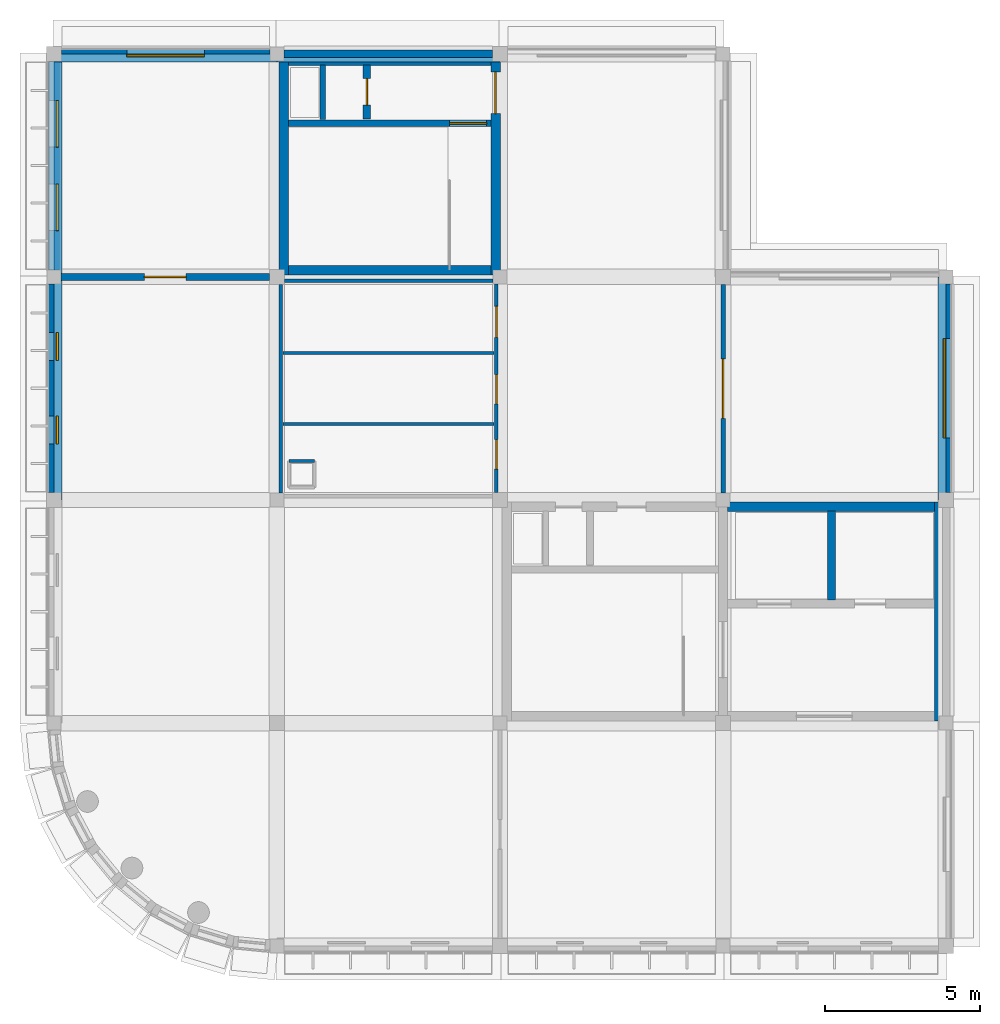
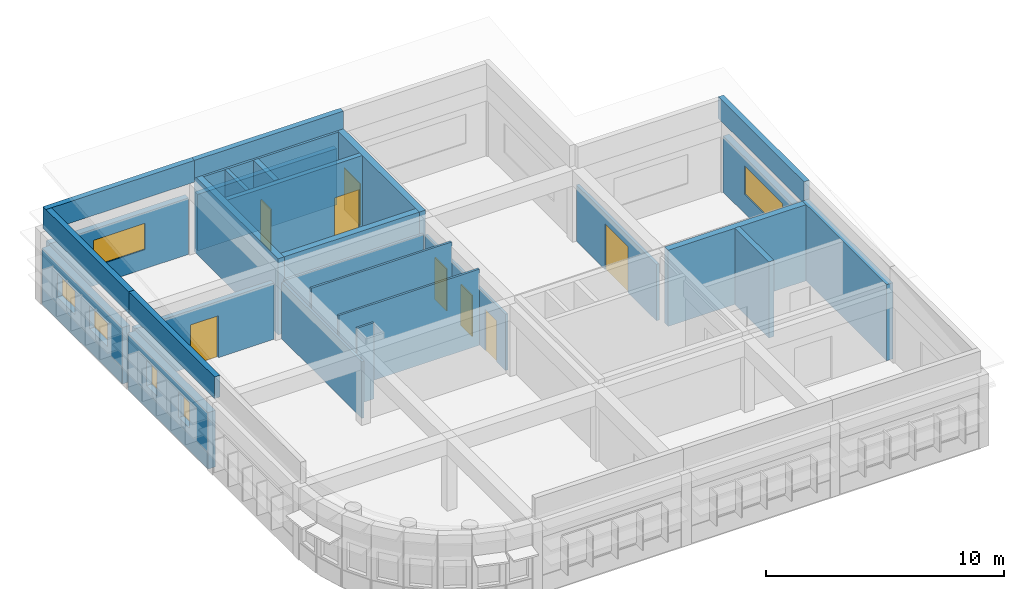
# One storey, part 4 of 6: 28 walls, 8 doors, 6 windows, 14 openings.
"""IFC4 building model written with IfcOpenShell, lengths in metres."""

from ifc_helpers import new_model, si_unit, direction, frame, frame_2d, origin, place, context, subcontext, project, spatial, rectangle, extrude, material, layer, layer_set, type_object, element, fill, save


model = new_model("IFC4")

# Units and contexts
model_context = context("Model", 3, precision=1e-05, world=origin(), true_north=direction((0.0, 1.0)))
body_context = subcontext(model_context, "Body", "Model", "MODEL_VIEW")
ifc_project = project(units=[si_unit("LENGTHUNIT", "METRE"), si_unit("AREAUNIT", "SQUARE_METRE"), si_unit("VOLUMEUNIT", "CUBIC_METRE"), si_unit("PLANEANGLEUNIT", "RADIAN"), si_unit("MASSUNIT", "GRAM", prefix="KILO")], contexts=[model_context])

# Site, building, storey
site_placement = place(None, origin())
site = spatial("IfcSite", under=ifc_project, at=site_placement, CompositionType="ELEMENT")
building_placement = place(site_placement, origin())
building = spatial("IfcBuilding", under=site, at=building_placement, Name="Thalmaran Polytechnic", CompositionType="ELEMENT")
storey_placement = place(building_placement, frame((0.0, 0.0, 34.5)))
storey = spatial("IfcBuildingStorey", under=building, at=storey_placement, Name="L08", CompositionType="ELEMENT", Elevation=34.5)

# Wall, openings, windows
ifc_material_1 = material(Name="Precast concrete C40/50", Category="concrete")
ifc_layer_1 = layer(ifc_material_1, 0.360107421875, Name="Precast concrete C40/50")
ifc_layer_set_1 = layer_set([ifc_layer_1], Name="Precast concrete C40/50")
wall_type_1 = type_object("IfcWallType", Name="WL-EW01", PredefinedType="STANDARD", material=ifc_layer_set_1)
wall_1_placement = place(storey_placement, frame((0.0, 14.639892578125, 0.0), z_axis=(0.0, 0.0, 1.0), x_axis=(0.0, 1.0, 0.0)))
wall_1 = element("IfcWall", 1, at=wall_1_placement, inside=storey, type_object=wall_type_1, Name="Exterior Precast Facade Wall L08-007", PredefinedType="STANDARD", context=body_context, shape_type="SweptSolid", body=[
    extrude(rectangle(XDim=6.735107421875, YDim=0.360107421875, at=frame_2d((3.36767578125, 0.0))), origin(), (0.0, 0.0, 1.0), 2.889892578125),
])
opening_1_placement = place(wall_1_placement, frame((1.570556640625, 0.0, 1.14990234375)))
opening_1 = element("IfcOpeningElement", 2, at=opening_1_placement, cuts=wall_1, Name="Opening PW13", PredefinedType="OPENING", context=body_context, shape_type="SweptSolid", body=[
    extrude(rectangle(XDim=0.89990234375, YDim=1.300048828125, at=frame_2d((0.449951171875, 0.64990234375))), frame((0.0, 0.18994140625, 0.0), z_axis=(0.0, -1.0, 0.0), x_axis=(1.0, 0.0, 0.0)), (0.0, 0.0, 1.0), 0.380126953125),
])
opening_2_placement = place(wall_1_placement, frame((4.264404296875, 0.0, 1.14990234375)))
opening_2 = element("IfcOpeningElement", 3, at=opening_2_placement, cuts=wall_1, Name="Opening PW13", PredefinedType="OPENING", context=body_context, shape_type="SweptSolid", body=[
    extrude(rectangle(XDim=0.89990234375, YDim=1.300048828125, at=frame_2d((0.449951171875, 0.64990234375))), frame((0.0, 0.18994140625, 0.0), z_axis=(0.0, -1.0, 0.0), x_axis=(1.0, 0.0, 0.0)), (0.0, 0.0, 1.0), 0.380126953125),
])
ifc_material_2 = material(Name="Thermally broken aluminium and double low-E glass", Category="aluminium")
window_type_1 = type_object("IfcWindowType", Name="WN-PW03", PartitioningType="SINGLE_PANEL", PredefinedType="WINDOW", material=ifc_material_2)
window_1_placement = place(opening_1_placement, origin())
window_1 = element("IfcWindow", 4, at=window_1_placement, inside=storey, type_object=window_type_1, Name="Deep-Set Solar-Screened Window W-0793", OverallHeight=1.300048828125, OverallWidth=0.89990234375, PartitioningType="SINGLE_PANEL", PredefinedType="WINDOW", context=body_context, shape_type="SweptSolid", body=[
    extrude(rectangle(XDim=0.89990234375, YDim=1.300048828125, at=frame_2d((0.449951171875, 0.64990234375))), frame((0.0, -0.080078125, 0.0), z_axis=(0.0, -1.0, 0.0), x_axis=(1.0, 0.0, 0.0)), (0.0, 0.0, 1.0), 0.06005859375),
])
fill(opening_1, window_1)
window_2_placement = place(opening_2_placement, origin())
window_2 = element("IfcWindow", 5, at=window_2_placement, inside=storey, type_object=window_type_1, Name="Deep-Set Solar-Screened Window W-0794", OverallHeight=1.300048828125, OverallWidth=0.89990234375, PartitioningType="SINGLE_PANEL", PredefinedType="WINDOW", context=body_context, shape_type="SweptSolid", body=[
    extrude(rectangle(XDim=0.89990234375, YDim=1.300048828125, at=frame_2d((0.449951171875, 0.64990234375))), frame((0.0, -0.080078125, 0.0), z_axis=(0.0, -1.0, 0.0), x_axis=(1.0, 0.0, 0.0)), (0.0, 0.0, 1.0), 0.06005859375),
])
fill(opening_2, window_2)

wall_2_placement = place(storey_placement, frame((0.0, 21.824951171875, 0.0), z_axis=(0.0, 0.0, 1.0), x_axis=(0.0, 1.0, 0.0)))
wall_2 = element("IfcWall", 6, at=wall_2_placement, inside=storey, type_object=wall_type_1, Name="Exterior Precast Facade Wall L08-008", PredefinedType="STANDARD", context=body_context, shape_type="SweptSolid", body=[
    extrude(rectangle(XDim=6.735107421875, YDim=0.360107421875, at=frame_2d((3.36767578125, 0.0))), origin(), (0.0, 0.0, 1.0), 2.889892578125),
])
opening_3_placement = place(wall_2_placement, frame((1.2705078125, 0.0, 1.14990234375)))
opening_3 = element("IfcOpeningElement", 7, at=opening_3_placement, cuts=wall_2, Name="Opening PW14", PredefinedType="OPENING", context=body_context, shape_type="SweptSolid", body=[
    extrude(rectangle(XDim=1.5, YDim=1.199951171875, at=frame_2d((0.75, 0.60009765625))), frame((0.0, 0.18994140625, 0.0), z_axis=(0.0, -1.0, 0.0), x_axis=(1.0, 0.0, 0.0)), (0.0, 0.0, 1.0), 0.380126953125),
])
opening_4_placement = place(wall_2_placement, frame((3.964599609375, 0.0, 1.14990234375)))
opening_4 = element("IfcOpeningElement", 8, at=opening_4_placement, cuts=wall_2, Name="Opening PW14", PredefinedType="OPENING", context=body_context, shape_type="SweptSolid", body=[
    extrude(rectangle(XDim=1.5, YDim=1.199951171875, at=frame_2d((0.75, 0.60009765625))), frame((0.0, 0.18994140625, 0.0), z_axis=(0.0, -1.0, 0.0), x_axis=(1.0, 0.0, 0.0)), (0.0, 0.0, 1.0), 0.380126953125),
])
window_type_2 = type_object("IfcWindowType", Name="WN-PW04", PartitioningType="DOUBLE_PANEL_VERTICAL", PredefinedType="WINDOW", material=ifc_material_2)
window_3_placement = place(opening_3_placement, origin())
window_3 = element("IfcWindow", 9, at=window_3_placement, inside=storey, type_object=window_type_2, Name="Deep-Set Solar-Screened Window W-0795", OverallHeight=1.199951171875, OverallWidth=1.5, PartitioningType="SINGLE_PANEL", PredefinedType="WINDOW", context=body_context, shape_type="SweptSolid", body=[
    extrude(rectangle(XDim=1.5, YDim=1.199951171875, at=frame_2d((0.75, 0.60009765625))), frame((0.0, -0.080078125, 0.0), z_axis=(0.0, -1.0, 0.0), x_axis=(1.0, 0.0, 0.0)), (0.0, 0.0, 1.0), 0.06005859375),
])
fill(opening_3, window_3)
window_4_placement = place(opening_4_placement, origin())
window_4 = element("IfcWindow", 10, at=window_4_placement, inside=storey, type_object=window_type_2, Name="Deep-Set Solar-Screened Window W-0796", OverallHeight=1.199951171875, OverallWidth=1.5, PartitioningType="SINGLE_PANEL", PredefinedType="WINDOW", context=body_context, shape_type="SweptSolid", body=[
    extrude(rectangle(XDim=1.5, YDim=1.199951171875, at=frame_2d((0.75, 0.60009765625))), frame((0.0, -0.080078125, 0.0), z_axis=(0.0, -1.0, 0.0), x_axis=(1.0, 0.0, 0.0)), (0.0, 0.0, 1.0), 0.06005859375),
])
fill(opening_4, window_4)

# Wall, opening, window
ifc_layer_2 = layer(ifc_material_1, 0.2900390625, Name="Precast concrete C40/50")
ifc_layer_set_2 = layer_set([ifc_layer_2], Name="Precast concrete C40/50")
wall_type_2 = type_object("IfcWallType", Name="WL-EW04", PredefinedType="STANDARD", material=ifc_layer_set_2)
wall_3_placement = place(storey_placement, frame((0.239990234375, 28.800048828125, 0.0), z_axis=(0.0, 0.0, 1.0), x_axis=(1.0, 0.0, 0.0)))
wall_3 = element("IfcWall", 11, at=wall_3_placement, inside=storey, type_object=wall_type_2, Name="Exterior Precast Facade Wall L08-009", PredefinedType="STANDARD", context=body_context, shape_type="SweptSolid", body=[
    extrude(rectangle(XDim=6.735107421875, YDim=0.2900390625, at=frame_2d((3.36767578125, 0.0))), origin(), (0.0, 0.0, 1.0), 2.889892578125),
])
opening_5_placement = place(wall_3_placement, frame((2.117431640625, 0.0, 0.97998046875)))
opening_5 = element("IfcOpeningElement", 12, at=opening_5_placement, cuts=wall_3, Name="Opening VW19", PredefinedType="OPENING", context=body_context, shape_type="SweptSolid", body=[
    extrude(rectangle(XDim=2.5, YDim=1.35009765625, at=frame_2d((1.25, 0.675048828125))), frame((0.0, 0.155029296875, 0.0), z_axis=(0.0, -1.0, 0.0), x_axis=(1.0, 0.0, 0.0)), (0.0, 0.0, 1.0), 0.31005859375),
])
window_type_3 = type_object("IfcWindowType", Name="WN-VZ19", PartitioningType="DOUBLE_PANEL_VERTICAL", PredefinedType="WINDOW", material=ifc_material_2)
window_5_placement = place(opening_5_placement, origin())
window_5 = element("IfcWindow", 13, at=window_5_placement, inside=storey, type_object=window_type_3, Name="Streamline Ribbon Window W-0797", OverallHeight=1.35009765625, OverallWidth=2.5, PartitioningType="SINGLE_PANEL", PredefinedType="WINDOW", context=body_context, shape_type="SweptSolid", body=[
    extrude(rectangle(XDim=2.5, YDim=1.35009765625, at=frame_2d((1.25, 0.675048828125))), frame((0.0, -0.030029296875, 0.0), z_axis=(0.0, -1.0, 0.0), x_axis=(1.0, 0.0, 0.0)), (0.0, 0.0, 1.0), 0.06005859375),
])
fill(opening_5, window_5)

wall_4_placement = place(storey_placement, frame((28.800048828125, 21.375, 0.0), z_axis=(0.0, 0.0, 1.0), x_axis=(0.0, -1.0, 0.0)))
wall_4 = element("IfcWall", 14, at=wall_4_placement, inside=storey, type_object=wall_type_2, Name="Exterior Precast Facade Wall L08-014", PredefinedType="STANDARD", context=body_context, shape_type="SweptSolid", body=[
    extrude(rectangle(XDim=6.735107421875, YDim=0.2900390625, at=frame_2d((3.36767578125, 0.0))), origin(), (0.0, 0.0, 1.0), 2.889892578125),
])
opening_6_placement = place(wall_4_placement, frame((1.767578125, 0.0, 0.97998046875)))
opening_6 = element("IfcOpeningElement", 15, at=opening_6_placement, cuts=wall_4, Name="Opening RW04", PredefinedType="OPENING", context=body_context, shape_type="SweptSolid", body=[
    extrude(rectangle(XDim=3.199951171875, YDim=1.449951171875, at=frame_2d((1.60009765625, 0.72509765625))), frame((0.0, 0.155029296875, 0.0), z_axis=(0.0, -1.0, 0.0), x_axis=(1.0, 0.0, 0.0)), (0.0, 0.0, 1.0), 0.31005859375),
])
window_type_4 = type_object("IfcWindowType", Name="WN-RW04", PartitioningType="DOUBLE_PANEL_VERTICAL", PredefinedType="WINDOW", material=ifc_material_2)
window_6_placement = place(opening_6_placement, origin())
window_6 = element("IfcWindow", 16, at=window_6_placement, inside=storey, type_object=window_type_4, Name="Streamline Ribbon Window W-0801", OverallHeight=1.449951171875, OverallWidth=3.199951171875, PartitioningType="SINGLE_PANEL", PredefinedType="WINDOW", context=body_context, shape_type="SweptSolid", body=[
    extrude(rectangle(XDim=3.199951171875, YDim=1.449951171875, at=frame_2d((1.60009765625, 0.72509765625))), frame((0.0, -0.030029296875, 0.0), z_axis=(0.0, -1.0, 0.0), x_axis=(1.0, 0.0, 0.0)), (0.0, 0.0, 1.0), 0.06005859375),
])
fill(opening_6, window_6)

# Walls
ifc_material_3 = material(Name="Translucent architectural glass block", Category="glass")
ifc_layer_3 = layer(ifc_material_3, 0.239990234375, Name="Translucent architectural glass block")
ifc_layer_set_3 = layer_set([ifc_layer_3], Name="Translucent architectural glass block")
wall_type_3 = type_object("IfcWallType", Name="WL-GB01", PredefinedType="STANDARD", material=ifc_layer_set_3)
wall_5_placement = place(storey_placement, frame((7.425048828125, 28.800048828125, 0.0), z_axis=(0.0, 0.0, 1.0), x_axis=(1.0, 0.0, 0.0)))
element("IfcWall", 17, at=wall_5_placement, inside=storey, type_object=wall_type_3, Name="Streamline Glass-Block Stair Strip L08-010", PredefinedType="STANDARD", context=body_context, shape_type="SweptSolid", body=[
    extrude(rectangle(XDim=6.73486328125, YDim=0.239990234375, at=frame_2d((3.367431640625, 0.0))), origin(), (0.0, 0.0, 1.0), 2.889892578125),
])
ifc_material_4 = material(Name="Autoclaved aerated masonry", Category="masonry")
ifc_layer_4 = layer(ifc_material_4, 0.25, Name="Autoclaved aerated masonry")
ifc_layer_set_4 = layer_set([ifc_layer_4], Name="Autoclaved aerated masonry")
wall_type_4 = type_object("IfcWallType", Name="WL-IW01", PredefinedType="PARTITIONING", material=ifc_layer_set_4)
wall_6_placement = place(storey_placement, frame((25.10009765625, 11.179931640625, 0.0), z_axis=(0.0, 0.0, 1.0), x_axis=(0.0, 1.0, 0.0)))
element("IfcWall", 18, at=wall_6_placement, inside=storey, type_object=wall_type_4, Name="Core C1 Shaft Dividing Wall L08", PredefinedType="PARTITIONING", context=body_context, shape_type="SweptSolid", body=[
    extrude(rectangle(XDim=2.8701171875, YDim=0.25, at=frame_2d((1.43505859375, 0.0))), origin(), (0.0, 0.0, 1.0), 3.89990234375),
])

# Wall, opening, door
ifc_layer_5 = layer(ifc_material_4, 0.22998046875, Name="Autoclaved aerated masonry")
ifc_layer_set_5 = layer_set([ifc_layer_5], Name="Autoclaved aerated masonry")
wall_type_5 = type_object("IfcWallType", Name="WL-IW02", PredefinedType="PARTITIONING", material=ifc_layer_set_5)
wall_7_placement = place(storey_placement, frame((10.10009765625, 26.699951171875, 0.0), z_axis=(0.0, 0.0, 1.0), x_axis=(0.0, 1.0, 0.0)))
wall_7 = element("IfcWall", 19, at=wall_7_placement, inside=storey, type_object=wall_type_5, Name="Core C3 Riser Partition L08", PredefinedType="PARTITIONING", context=body_context, shape_type="SweptSolid", body=[
    extrude(rectangle(XDim=1.739990234375, YDim=0.22998046875, at=frame_2d((0.8701171875, 0.0))), origin(), (0.0, 0.0, 1.0), 3.89990234375),
])
opening_7_placement = place(wall_7_placement, frame((0.449951171875, 0.0, 0.0)))
opening_7 = element("IfcOpeningElement", 20, at=opening_7_placement, cuts=wall_7, Name="Opening DR-C3-L08-R", PredefinedType="OPENING", context=body_context, shape_type="SweptSolid", body=[
    extrude(rectangle(XDim=0.85009765625, YDim=2.10009765625, at=frame_2d((0.425048828125, 1.050048828125))), frame((0.0, 0.125, 0.0), z_axis=(0.0, -1.0, 0.0), x_axis=(1.0, 0.0, 0.0)), (0.0, 0.0, 1.0), 0.25),
])
ifc_material_5 = material(Name="Powder-coated fire-rated steel", Category="steel")
door_type_1 = type_object("IfcDoorType", Name="DR-FD09", OperationType="NOTDEFINED", PredefinedType="DOOR", material=ifc_material_5)
door_1_placement = place(opening_7_placement, origin())
door_1 = element("IfcDoor", 21, at=door_1_placement, inside=storey, type_object=door_type_1, Name="Riser Access Fire Door C3 L08", OperationType="SINGLE_SWING_RIGHT", OverallHeight=2.10009765625, OverallWidth=0.85009765625, PredefinedType="DOOR", context=body_context, shape_type="SweptSolid", body=[
    extrude(rectangle(XDim=0.85009765625, YDim=2.10009765625, at=frame_2d((0.425048828125, 1.050048828125))), frame((0.0, 0.02490234375, 0.0), z_axis=(0.0, -1.0, 0.0), x_axis=(1.0, 0.0, 0.0)), (0.0, 0.0, 1.0), 0.050048828125),
])
fill(opening_7, door_1)

wall_8_placement = place(storey_placement, frame((0.22998046875, 21.60009765625, 0.0), z_axis=(0.0, 0.0, 1.0), x_axis=(1.0, 0.0, 0.0)))
wall_8 = element("IfcWall", 22, at=wall_8_placement, inside=storey, type_object=wall_type_5, Name="Interior Partition IW02 L08-001", PredefinedType="PARTITIONING", context=body_context, shape_type="SweptSolid", body=[
    extrude(rectangle(XDim=6.72509765625, YDim=0.22998046875, at=frame_2d((3.362548828125, 0.0))), origin(), (0.0, 0.0, 1.0), 2.889892578125),
])
opening_8_placement = place(wall_8_placement, frame((2.6875, 0.0, 0.0)))
opening_8 = element("IfcOpeningElement", 23, at=opening_8_placement, cuts=wall_8, Name="Opening D-L08-003--PLT-1", PredefinedType="OPENING", context=body_context, shape_type="SweptSolid", body=[
    extrude(rectangle(XDim=1.35009765625, YDim=2.14990234375, at=frame_2d((0.675048828125, 1.074951171875))), frame((0.0, 0.125, 0.0), z_axis=(0.0, -1.0, 0.0), x_axis=(1.0, 0.0, 0.0)), (0.0, 0.0, 1.0), 0.25),
])
door_type_2 = type_object("IfcDoorType", Name="DR-FD06", OperationType="NOTDEFINED", PredefinedType="DOOR", material=ifc_material_5)
door_2_placement = place(opening_8_placement, origin())
door_2 = element("IfcDoor", 24, at=door_2_placement, inside=storey, type_object=door_type_2, Name="Upper Mechanical Plant Room Door 1", OperationType="SINGLE_SWING_LEFT", OverallHeight=2.14990234375, OverallWidth=1.35009765625, PredefinedType="DOOR", context=body_context, shape_type="SweptSolid", body=[
    extrude(rectangle(XDim=1.35009765625, YDim=2.14990234375, at=frame_2d((0.675048828125, 1.074951171875))), frame((0.0, 0.02490234375, 0.0), z_axis=(0.0, -1.0, 0.0), x_axis=(1.0, 0.0, 0.0)), (0.0, 0.0, 1.0), 0.050048828125),
])
fill(opening_8, door_2)

# Wall
ifc_layer_6 = layer(ifc_material_4, 0.179931640625, Name="Autoclaved aerated masonry")
ifc_layer_set_6 = layer_set([ifc_layer_6], Name="Autoclaved aerated masonry")
wall_type_6 = type_object("IfcWallType", Name="WL-IW04", PredefinedType="PARTITIONING", material=ifc_layer_set_6)
wall_9_placement = place(storey_placement, frame((8.679931640625, 26.679931640625, 0.0), z_axis=(0.0, 0.0, 1.0), x_axis=(0.0, 1.0, 0.0)))
element("IfcWall", 25, at=wall_9_placement, inside=storey, type_object=wall_type_6, Name="Core C3 Riser Shaft Enclosure Wall L08", PredefinedType="PARTITIONING", context=body_context, shape_type="SweptSolid", body=[
    extrude(rectangle(XDim=1.760009765625, YDim=0.179931640625, at=frame_2d((0.8798828125, 0.0))), origin(), (0.0, 0.0, 1.0), 3.89990234375),
])

# Wall, opening, door
ifc_material_6 = material(Name="Gypsum acoustic partition")
ifc_layer_7 = layer(ifc_material_6, 0.14501953125, Name="Gypsum acoustic partition")
ifc_layer_set_7 = layer_set([ifc_layer_7], Name="Gypsum acoustic partition")
wall_type_7 = type_object("IfcWallType", Name="WL-IW06", PredefinedType="PARTITIONING", material=ifc_layer_set_7)
wall_10_placement = place(storey_placement, frame((21.60009765625, 14.6298828125, 0.0), z_axis=(0.0, 0.0, 1.0), x_axis=(0.0, 1.0, 0.0)))
wall_10 = element("IfcWall", 26, at=wall_10_placement, inside=storey, type_object=wall_type_7, Name="Interior Partition IW06 L08-003", PredefinedType="PARTITIONING", context=body_context, shape_type="SweptSolid", body=[
    extrude(rectangle(XDim=6.72509765625, YDim=0.14501953125, at=frame_2d((3.362548828125, 0.0))), origin(), (0.0, 0.0, 1.0), 2.889892578125),
])
opening_9_placement = place(wall_10_placement, frame((2.402587890625, 0.0, 0.0)))
opening_9 = element("IfcOpeningElement", 27, at=opening_9_placement, cuts=wall_10, Name="Opening D-L08-002-1-02-1", PredefinedType="OPENING", context=body_context, shape_type="SweptSolid", body=[
    extrude(rectangle(XDim=1.919921875, YDim=2.35009765625, at=frame_2d((0.9599609375, 1.175048828125))), frame((0.0, 0.08251953125, 0.0), z_axis=(0.0, -1.0, 0.0), x_axis=(1.0, 0.0, 0.0)), (0.0, 0.0, 1.0), 0.1650390625),
])
ifc_material_7 = material(Name="Acoustic hardwood and vision glass", Category="wood")
door_type_3 = type_object("IfcDoorType", Name="DR-ZD01", OperationType="NOTDEFINED", PredefinedType="DOOR", material=ifc_material_7)
door_3_placement = place(opening_9_placement, origin())
door_3 = element("IfcDoor", 28, at=door_3_placement, inside=storey, type_object=door_type_3, Name="Architecture Design Studio L08-02 Door 1", OperationType="SINGLE_SWING_RIGHT", OverallHeight=2.35009765625, OverallWidth=1.919921875, PredefinedType="DOOR", context=body_context, shape_type="SweptSolid", body=[
    extrude(rectangle(XDim=1.919921875, YDim=2.35009765625, at=frame_2d((0.9599609375, 1.175048828125))), frame((0.0, 0.02490234375, 0.0), z_axis=(0.0, -1.0, 0.0), x_axis=(1.0, 0.0, 0.0)), (0.0, 0.0, 1.0), 0.050048828125),
])
fill(opening_9, door_3)

# Walls
ifc_layer_8 = layer(ifc_material_6, 0.114990234375, Name="Gypsum acoustic partition")
ifc_layer_set_8 = layer_set([ifc_layer_8], Name="Gypsum acoustic partition")
wall_type_8 = type_object("IfcWallType", Name="WL-IW08", PredefinedType="PARTITIONING", material=ifc_layer_set_8)
wall_11_placement = place(storey_placement, frame((7.445068359375, 21.47998046875, 0.0), z_axis=(0.0, 0.0, 1.0), x_axis=(1.0, 0.0, 0.0)))
element("IfcWall", 29, at=wall_11_placement, inside=storey, type_object=wall_type_8, Name="Sanitary Core Wall L08-W1-N", PredefinedType="PARTITIONING", context=body_context, shape_type="SweptSolid", body=[
    extrude(rectangle(XDim=6.724853515625, YDim=0.114990234375, at=frame_2d((3.3623046875, 0.0))), origin(), (0.0, 0.0, 1.0), 2.889892578125),
])
wall_12_placement = place(storey_placement, frame((7.320068359375, 14.6298828125, 0.0), z_axis=(0.0, 0.0, 1.0), x_axis=(0.0, 1.0, 0.0)))
element("IfcWall", 30, at=wall_12_placement, inside=storey, type_object=wall_type_8, Name="Sanitary Side Wall L08-W1-W", PredefinedType="PARTITIONING", context=body_context, shape_type="SweptSolid", body=[
    extrude(rectangle(XDim=6.72509765625, YDim=0.114990234375, at=frame_2d((3.362548828125, 0.0))), origin(), (0.0, 0.0, 1.0), 2.889892578125),
])

# Wall, openings, doors
wall_13_placement = place(storey_placement, frame((14.280029296875, 14.64501953125, 0.0), z_axis=(0.0, 0.0, 1.0), x_axis=(0.0, 1.0, 0.0)))
wall_13 = element("IfcWall", 31, at=wall_13_placement, inside=storey, type_object=wall_type_8, Name="Sanitary Side Wall L08-W1-E", PredefinedType="PARTITIONING", context=body_context, shape_type="SweptSolid", body=[
    extrude(rectangle(XDim=6.72509765625, YDim=0.114990234375, at=frame_2d((3.362548828125, 0.0))), origin(), (0.0, 0.0, 1.0), 2.889892578125),
])
opening_10_placement = place(wall_13_placement, frame((0.7548828125, 0.0, 0.0)))
opening_10 = element("IfcOpeningElement", 32, at=opening_10_placement, cuts=wall_13, Name="Opening WD-L08-W1-1", PredefinedType="OPENING", context=body_context, shape_type="SweptSolid", body=[
    extrude(rectangle(XDim=0.949951171875, YDim=2.10009765625, at=frame_2d((0.47509765625, 1.050048828125))), frame((0.0, 0.0673828125, 0.0), z_axis=(0.0, -1.0, 0.0), x_axis=(1.0, 0.0, 0.0)), (0.0, 0.0, 1.0), 0.135009765625),
])
opening_11_placement = place(wall_13_placement, frame((2.85498046875, 0.0, 0.0)))
opening_11 = element("IfcOpeningElement", 33, at=opening_11_placement, cuts=wall_13, Name="Opening WD-L08-W1-2", PredefinedType="OPENING", context=body_context, shape_type="SweptSolid", body=[
    extrude(rectangle(XDim=0.949951171875, YDim=2.10009765625, at=frame_2d((0.47509765625, 1.050048828125))), frame((0.0, 0.0673828125, 0.0), z_axis=(0.0, -1.0, 0.0), x_axis=(1.0, 0.0, 0.0)), (0.0, 0.0, 1.0), 0.135009765625),
])
opening_12_placement = place(wall_13_placement, frame((5.0048828125, 0.0, 0.0)))
opening_12 = element("IfcOpeningElement", 34, at=opening_12_placement, cuts=wall_13, Name="Opening WD-L08-W1-3", PredefinedType="OPENING", context=body_context, shape_type="SweptSolid", body=[
    extrude(rectangle(XDim=1.0, YDim=2.14990234375, at=frame_2d((0.5, 1.074951171875))), frame((0.0, 0.0673828125, 0.0), z_axis=(0.0, -1.0, 0.0), x_axis=(1.0, 0.0, 0.0)), (0.0, 0.0, 1.0), 0.135009765625),
])
ifc_material_8 = material(Name="Acoustic hardwood", Category="wood")
door_type_4 = type_object("IfcDoorType", Name="DR-ID06", OperationType="NOTDEFINED", PredefinedType="DOOR", material=ifc_material_8)
door_4_placement = place(opening_12_placement, origin())
door_4 = element("IfcDoor", 35, at=door_4_placement, inside=storey, type_object=door_type_4, Name="Accessible WC Door L08-W1", OperationType="SINGLE_SWING_RIGHT", OverallHeight=2.14990234375, OverallWidth=1.0, PredefinedType="DOOR", context=body_context, shape_type="SweptSolid", body=[
    extrude(rectangle(XDim=1.0, YDim=2.14990234375, at=frame_2d((0.5, 1.074951171875))), frame((0.0, 0.02490234375, 0.0), z_axis=(0.0, -1.0, 0.0), x_axis=(1.0, 0.0, 0.0)), (0.0, 0.0, 1.0), 0.050048828125),
])
fill(opening_12, door_4)
ifc_material_9 = material(Name="Moisture-resistant laminate timber", Category="wood")
door_type_5 = type_object("IfcDoorType", Name="DR-ID07", OperationType="NOTDEFINED", PredefinedType="DOOR", material=ifc_material_9)
door_5_placement = place(opening_10_placement, origin())
door_5 = element("IfcDoor", 36, at=door_5_placement, inside=storey, type_object=door_type_5, Name="Male WC Door L08-W1", OperationType="SINGLE_SWING_RIGHT", OverallHeight=2.10009765625, OverallWidth=0.949951171875, PredefinedType="DOOR", context=body_context, shape_type="SweptSolid", body=[
    extrude(rectangle(XDim=0.949951171875, YDim=2.10009765625, at=frame_2d((0.47509765625, 1.050048828125))), frame((0.0, 0.02490234375, 0.0), z_axis=(0.0, -1.0, 0.0), x_axis=(1.0, 0.0, 0.0)), (0.0, 0.0, 1.0), 0.050048828125),
])
fill(opening_10, door_5)
door_6_placement = place(opening_11_placement, origin())
door_6 = element("IfcDoor", 37, at=door_6_placement, inside=storey, type_object=door_type_5, Name="Female WC Door L08-W1", OperationType="SINGLE_SWING_LEFT", OverallHeight=2.10009765625, OverallWidth=0.949951171875, PredefinedType="DOOR", context=body_context, shape_type="SweptSolid", body=[
    extrude(rectangle(XDim=0.949951171875, YDim=2.10009765625, at=frame_2d((0.47509765625, 1.050048828125))), frame((0.0, 0.02490234375, 0.0), z_axis=(0.0, -1.0, 0.0), x_axis=(1.0, 0.0, 0.0)), (0.0, 0.0, 1.0), 0.050048828125),
])
fill(opening_11, door_6)

# Walls
ifc_material_10 = material(Name="Moisture-resistant partition")
ifc_layer_9 = layer(ifc_material_10, 0.10009765625, Name="Moisture-resistant partition")
ifc_layer_set_9 = layer_set([ifc_layer_9], Name="Moisture-resistant partition")
wall_type_9 = type_object("IfcWallType", Name="WL-IW09", PredefinedType="PARTITIONING", material=ifc_layer_set_9)
for number, where, z_axis, x_axis, name in (
    (38, (7.39990234375, 16.85009765625, 0.0), (0.0, 0.0, 1.0), (1.0, 0.0, 0.0), "WC Partition L08-W1-1"),
    (39, (7.39990234375, 19.14990234375, 0.0), (0.0, 0.0, 1.0), (1.0, 0.0, 0.0), "WC Partition L08-W1-2"),
):
    element("IfcWall", number, at=place(storey_placement, frame(where, z_axis=z_axis, x_axis=x_axis)), inside=storey, type_object=wall_type_9, Name=name, PredefinedType="PARTITIONING", context=body_context, shape_type="SweptSolid", body=[
        extrude(rectangle(XDim=6.800048828125, YDim=0.10009765625, at=frame_2d((3.39990234375, 0.0))), origin(), (0.0, 0.0, 1.0), 3.89990234375),
    ])
wall_14_placement = place(storey_placement, frame((8.409912109375, 15.659912109375, 0.0), z_axis=(0.0, 0.0, 1.0), x_axis=(-1.0, 0.0, 0.0)))
element("IfcWall", 40, at=wall_14_placement, inside=storey, type_object=wall_type_9, Name="Plumbing Riser Chase Wall L08-W1-N", PredefinedType="PARTITIONING", context=body_context, shape_type="SweptSolid", body=[
    extrude(rectangle(XDim=0.81982421875, YDim=0.10009765625, at=frame_2d((0.409912109375, 0.0))), origin(), (0.0, 0.0, 1.0), 3.89990234375),
])
ifc_layer_10 = layer(ifc_material_1, 0.260009765625, Name="Precast concrete C40/50")
ifc_layer_set_10 = layer_set([ifc_layer_10], Name="Precast concrete C40/50")
wall_type_10 = type_object("IfcWallType", Name="WL-PW01", PredefinedType="PARAPET", material=ifc_layer_set_10)
wall_15_placement = place(storey_placement, frame((0.1298828125, 14.39990234375, 3.695068359375), z_axis=(0.0, 0.0, 1.0), x_axis=(0.0, 1.0, 0.0)))
element("IfcWall", 41, at=wall_15_placement, inside=storey, type_object=wall_type_10, Name="Streamline Crown Parapet L08-007", PredefinedType="PARAPET", context=body_context, shape_type="SweptSolid", body=[
    extrude(rectangle(XDim=7.2001953125, YDim=0.260009765625, at=frame_2d((3.60009765625, 0.0))), origin(), (0.0, 0.0, 1.0), 1.10498046875),
])
for number, where, z_axis, x_axis, name in (
    (42, (0.1298828125, 21.60009765625, 3.695068359375), (0.0, 0.0, 1.0), (0.0, 1.0, 0.0), "Streamline Crown Parapet L08-008"),
    (43, (0.0, 28.669921875, 3.695068359375), (0.0, 0.0, 1.0), (1.0, 0.0, 0.0), "Streamline Crown Parapet L08-009"),
):
    element("IfcWall", number, at=place(storey_placement, frame(where, z_axis=z_axis, x_axis=x_axis)), inside=storey, type_object=wall_type_10, Name=name, PredefinedType="PARAPET", context=body_context, shape_type="SweptSolid", body=[
        extrude(rectangle(XDim=7.199951171875, YDim=0.260009765625, at=frame_2d((3.60009765625, 0.0))), origin(), (0.0, 0.0, 1.0), 1.10498046875),
    ])
wall_16_placement = place(storey_placement, frame((7.199951171875, 28.669921875, 3.89990234375), z_axis=(0.0, 0.0, 1.0), x_axis=(1.0, 0.0, 0.0)))
element("IfcWall", 44, at=wall_16_placement, inside=storey, type_object=wall_type_10, Name="Streamline Crown Parapet L08-010", PredefinedType="PARAPET", context=body_context, shape_type="SweptSolid", body=[
    extrude(rectangle(XDim=7.199951171875, YDim=0.260009765625, at=frame_2d((3.60009765625, 0.0))), origin(), (0.0, 0.0, 1.0), 0.900146484375),
])
wall_17_placement = place(storey_placement, frame((28.669921875, 21.60009765625, 3.695068359375), z_axis=(0.0, 0.0, 1.0), x_axis=(0.0, -1.0, 0.0)))
element("IfcWall", 45, at=wall_17_placement, inside=storey, type_object=wall_type_10, Name="Streamline Crown Parapet L08-014", PredefinedType="PARAPET", context=body_context, shape_type="SweptSolid", body=[
    extrude(rectangle(XDim=7.2001953125, YDim=0.260009765625, at=frame_2d((3.60009765625, 0.0))), origin(), (0.0, 0.0, 1.0), 1.10498046875),
])
ifc_material_11 = material(Name="Concrete C50/60", Category="concrete")
ifc_layer_11 = layer(ifc_material_11, 0.300048828125, Name="Concrete C50/60")
ifc_layer_set_11 = layer_set([ifc_layer_11], Name="Concrete C50/60")
wall_type_11 = type_object("IfcWallType", Name="WL-SW04", PredefinedType="SHEAR", material=ifc_layer_set_11)
wall_18_placement = place(storey_placement, frame((28.580078125, 7.27001953125, 0.0), z_axis=(0.0, 0.0, 1.0), x_axis=(0.0, 1.0, 0.0)))
element("IfcWall", 46, at=wall_18_placement, inside=storey, type_object=wall_type_11, Name="Core C1 Lobby East Shear Wall L08", PredefinedType="SHEAR", context=body_context, shape_type="SweptSolid", body=[
    extrude(rectangle(XDim=7.06005859375, YDim=0.300048828125, at=frame_2d((3.530029296875, 0.0))), origin(), (0.0, 0.0, 1.0), 3.89990234375),
])
wall_19_placement = place(storey_placement, frame((21.75, 14.179931640625, 0.0), z_axis=(0.0, 0.0, 1.0), x_axis=(1.0, 0.0, 0.0)))
element("IfcWall", 47, at=wall_19_placement, inside=storey, type_object=wall_type_11, Name="Core C1 Lift Shaft Back Shear Wall L08", PredefinedType="SHEAR", context=body_context, shape_type="SweptSolid", body=[
    extrude(rectangle(XDim=6.679931640625, YDim=0.300048828125, at=frame_2d((3.33984375, 0.0))), origin(), (0.0, 0.0, 1.0), 3.89990234375),
])
wall_20_placement = place(storey_placement, frame((7.570068359375, 21.820068359375, 0.0), z_axis=(0.0, 0.0, 1.0), x_axis=(1.0, 0.0, 0.0)))
element("IfcWall", 48, at=wall_20_placement, inside=storey, type_object=wall_type_11, Name="Core C3 South Shear Wall L08", PredefinedType="SHEAR", context=body_context, shape_type="SweptSolid", body=[
    extrude(rectangle(XDim=6.5400390625, YDim=0.300048828125, at=frame_2d((3.27001953125, 0.0))), origin(), (0.0, 0.0, 1.0), 3.89990234375),
])
wall_21_placement = place(storey_placement, frame((7.419921875, 28.72998046875, 0.0), z_axis=(0.0, 0.0, 1.0), x_axis=(0.0, -1.0, 0.0)))
element("IfcWall", 49, at=wall_21_placement, inside=storey, type_object=wall_type_11, Name="Core C3 West Shear Wall L08", PredefinedType="SHEAR", context=body_context, shape_type="SweptSolid", body=[
    extrude(rectangle(XDim=7.06005859375, YDim=0.300048828125, at=frame_2d((3.530029296875, 0.0))), origin(), (0.0, 0.0, 1.0), 3.89990234375),
])
wall_22_placement = place(storey_placement, frame((7.570068359375, 28.580078125, 0.0), z_axis=(0.0, 0.0, 1.0), x_axis=(1.0, 0.0, 0.0)))
element("IfcWall", 50, at=wall_22_placement, inside=storey, type_object=wall_type_11, Name="Core C3 North Shear Wall L08", PredefinedType="SHEAR", context=body_context, shape_type="SweptSolid", body=[
    extrude(rectangle(XDim=6.5400390625, YDim=0.300048828125, at=frame_2d((3.27001953125, 0.0))), origin(), (0.0, 0.0, 1.0), 3.89990234375),
])

# Wall, opening, door
wall_23_placement = place(storey_placement, frame((7.570068359375, 26.56005859375, 0.0), z_axis=(0.0, 0.0, 1.0), x_axis=(1.0, 0.0, 0.0)))
wall_23 = element("IfcWall", 51, at=wall_23_placement, inside=storey, type_object=wall_type_11, Name="Core C3 Stair Partition L08", PredefinedType="SHEAR", context=body_context, shape_type="SweptSolid", body=[
    extrude(rectangle(XDim=6.5400390625, YDim=0.219970703125, at=frame_2d((3.27001953125, 0.0))), origin(), (0.0, 0.0, 1.0), 3.89990234375),
])
opening_13_placement = place(wall_23_placement, frame((5.199951171875, 0.0, 0.0)))
opening_13 = element("IfcOpeningElement", 52, at=opening_13_placement, cuts=wall_23, Name="Opening SD-ST3-L08", PredefinedType="OPENING", context=body_context, shape_type="SweptSolid", body=[
    extrude(rectangle(XDim=1.199951171875, YDim=2.199951171875, at=frame_2d((0.60009765625, 1.10009765625))), frame((0.0, 0.119873046875, 0.0), z_axis=(0.0, -1.0, 0.0), x_axis=(1.0, 0.0, 0.0)), (0.0, 0.0, 1.0), 0.239990234375),
])
door_type_6 = type_object("IfcDoorType", Name="DR-FD04", OperationType="NOTDEFINED", PredefinedType="DOOR", material=ifc_material_5)
door_7_placement = place(opening_13_placement, origin())
door_7 = element("IfcDoor", 53, at=door_7_placement, inside=storey, type_object=door_type_6, Name="Exit Stair Fire Door ST3 L08", OperationType="DOUBLE_DOOR_SINGLE_SWING", OverallHeight=2.199951171875, OverallWidth=1.199951171875, PredefinedType="DOOR", context=body_context, shape_type="SweptSolid", body=[
    extrude(rectangle(XDim=1.199951171875, YDim=2.199951171875, at=frame_2d((0.60009765625, 1.10009765625))), frame((0.0, 0.02490234375, 0.0), z_axis=(0.0, -1.0, 0.0), x_axis=(1.0, 0.0, 0.0)), (0.0, 0.0, 1.0), 0.050048828125),
])
fill(opening_13, door_7)

wall_24_placement = place(storey_placement, frame((14.260009765625, 21.669921875, 0.0), z_axis=(0.0, 0.0, 1.0), x_axis=(0.0, 1.0, 0.0)))
wall_24 = element("IfcWall", 54, at=wall_24_placement, inside=storey, type_object=wall_type_11, Name="Core C3 East Shear Wall L08", PredefinedType="SHEAR", context=body_context, shape_type="SweptSolid", body=[
    extrude(rectangle(XDim=7.06005859375, YDim=0.300048828125, at=frame_2d((3.530029296875, 0.0))), origin(), (0.0, 0.0, 1.0), 3.89990234375),
])
opening_14_placement = place(wall_24_placement, frame((5.199951171875, 0.0, 0.0)))
opening_14 = element("IfcOpeningElement", 55, at=opening_14_placement, cuts=wall_24, Name="Opening LD-C3-L08", PredefinedType="OPENING", context=body_context, shape_type="SweptSolid", body=[
    extrude(rectangle(XDim=1.35009765625, YDim=2.14990234375, at=frame_2d((0.675048828125, 1.074951171875))), frame((0.0, 0.159912109375, 0.0), z_axis=(0.0, -1.0, 0.0), x_axis=(1.0, 0.0, 0.0)), (0.0, 0.0, 1.0), 0.320068359375),
])
door_8_placement = place(opening_14_placement, origin())
door_8 = element("IfcDoor", 56, at=door_8_placement, inside=storey, type_object=door_type_2, Name="Stair Lobby Fire Door C3 L08", OperationType="SINGLE_SWING_LEFT", OverallHeight=2.14990234375, OverallWidth=1.35009765625, PredefinedType="DOOR", context=body_context, shape_type="SweptSolid", body=[
    extrude(rectangle(XDim=1.35009765625, YDim=2.14990234375, at=frame_2d((0.675048828125, 1.074951171875))), frame((0.0, 0.02490234375, 0.0), z_axis=(0.0, -1.0, 0.0), x_axis=(1.0, 0.0, 0.0)), (0.0, 0.0, 1.0), 0.050048828125),
])
fill(opening_14, door_8)

save(model, "model.ifc")
